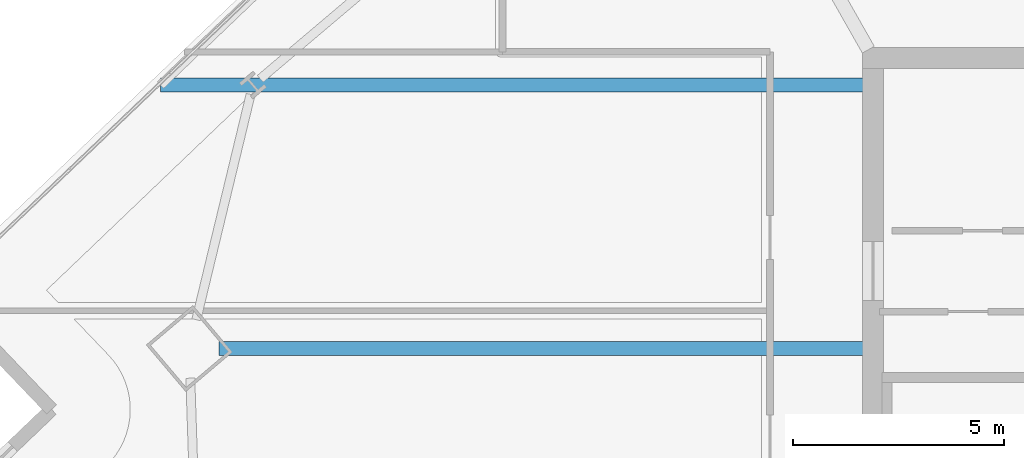
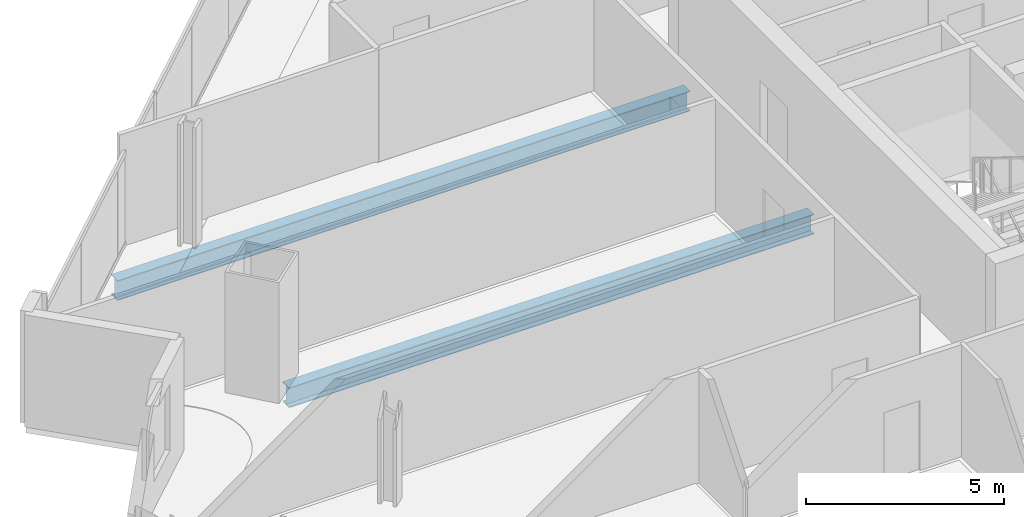
# One storey, part 14 of 33: 2 beams.
"""IFC4 building model written with IfcOpenShell, lengths in metres."""

from ifc_helpers import new_model, si_unit, direction, frame, origin, origin_2d, place, context, subcontext, project, spatial, i_section, extrude, material, material_profile, profile_set, type_object, element, save


model = new_model("IFC4")

# Units and contexts
model_context = context("Model", 3, precision=1e-05, world=origin(), true_north=direction((0.0, 1.0)))
body_context = subcontext(model_context, "Body", "Model", "MODEL_VIEW")
ifc_project = project(units=[si_unit("LENGTHUNIT", "METRE"), si_unit("AREAUNIT", "SQUARE_METRE"), si_unit("VOLUMEUNIT", "CUBIC_METRE"), si_unit("PLANEANGLEUNIT", "RADIAN"), si_unit("MASSUNIT", "GRAM", prefix="KILO")], contexts=[model_context])

# Site, building, storey
site_placement = place(None, origin())
site = spatial("IfcSite", under=ifc_project, at=site_placement, CompositionType="ELEMENT")
building_placement = place(site_placement, origin())
building = spatial("IfcBuilding", under=site, at=building_placement, Name="Haldenkirk Collegiate Tower", CompositionType="ELEMENT")
storey_placement = place(building_placement, frame((0.0, 0.0, 174.449951171875)))
storey = spatial("IfcBuildingStorey", under=building, at=storey_placement, Name="L43", CompositionType="ELEMENT", Elevation=174.449951171875)

# Beams
ifc_material = material(Name="Steel ASTM A992 Grade 50", Category="steel")
ifc_material_profile = material_profile(ifc_material, i_section(OverallWidth=0.324951171875, OverallDepth=0.615966796875, WebThickness=0.013916015625, FlangeThickness=0.021484375, at=origin_2d()), Name="W24X117")
ifc_profile_set = profile_set([ifc_material_profile], Name="Steel ASTM A992 Grade 50")
beam_type = type_object("IfcBeamType", Name="BM-GIRDER-W24X117", PredefinedType="BEAM", material=ifc_profile_set)
beam_1_placement = place(storey_placement, frame((11.466064453125, 27.103759765625, -0.597900390625), z_axis=(1.0, 0.0, 0.0), x_axis=(0.0, 1.0, 0.0)))
element("IfcBeam", 1, at=beam_1_placement, inside=storey, type_object=beam_type, Name="L43 primary floor girder 04", PredefinedType="BEAM", context=body_context, shape_type="SweptSolid", body=[
    extrude(i_section(OverallWidth=0.324951171875, OverallDepth=0.615966796875, WebThickness=0.013916015625, FlangeThickness=0.021484375, at=origin_2d()), origin(), (0.0, 0.0, 1.0), 15.303955078125),
])
beam_2_placement = place(storey_placement, frame((10.078125, 33.360107421875, -0.597900390625), z_axis=(1.0, 0.0, 0.0), x_axis=(0.0, 1.0, 0.0)))
element("IfcBeam", 2, at=beam_2_placement, inside=storey, type_object=beam_type, Name="L43 primary floor girder 13", PredefinedType="BEAM", context=body_context, shape_type="SweptSolid", body=[
    extrude(i_section(OverallWidth=0.324951171875, OverallDepth=0.615966796875, WebThickness=0.013916015625, FlangeThickness=0.021484375, at=origin_2d()), origin(), (0.0, 0.0, 1.0), 16.69189453125),
])

save(model, "model.ifc")
